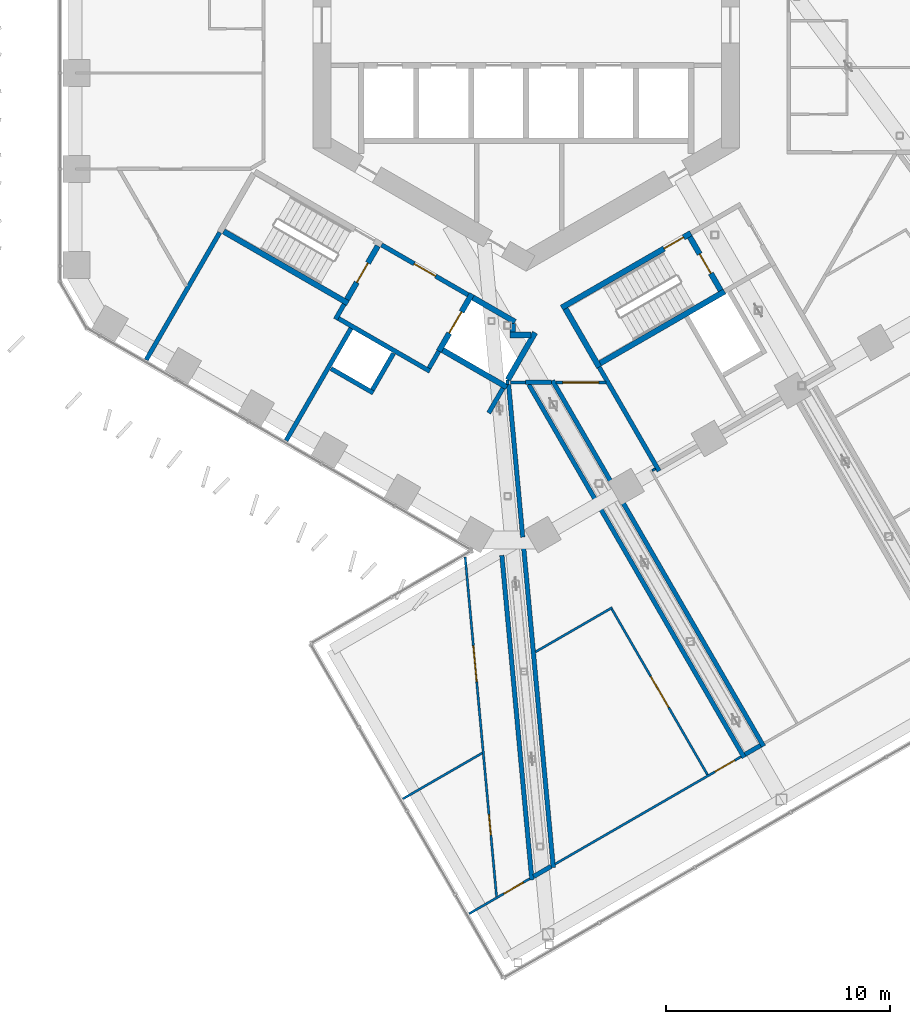
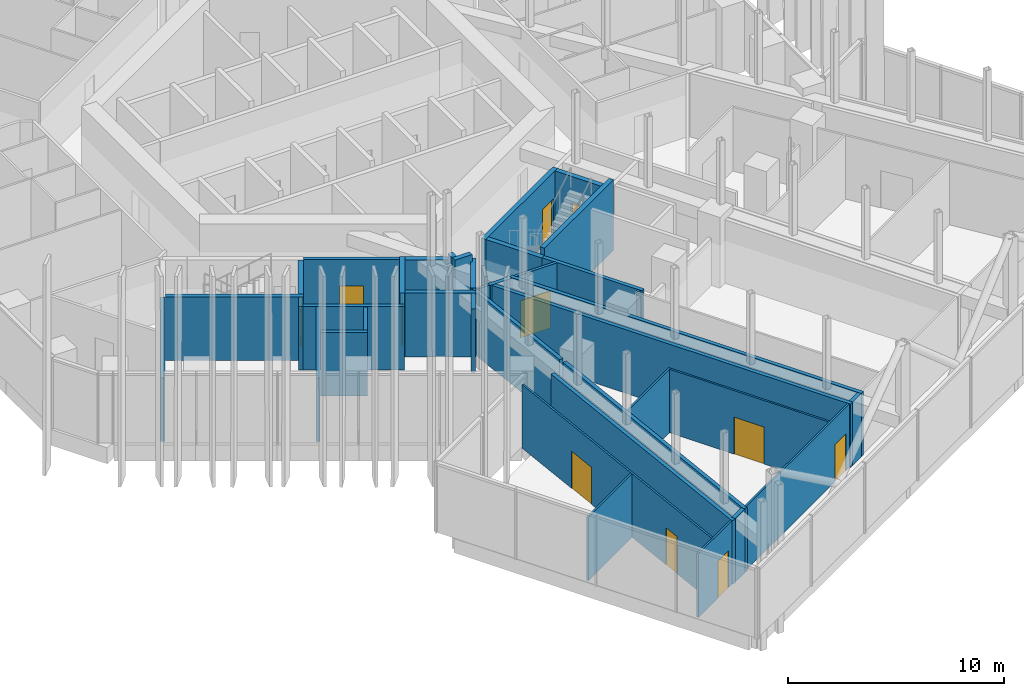
# One storey, part 19 of 29: 40 walls, 11 doors, 11 openings.
"""IFC4 building model written with IfcOpenShell, lengths in metres."""

from ifc_helpers import new_model, si_unit, direction, frame, frame_2d, origin, place, context, subcontext, project, spatial, rectangle, extrude, material, layer, layer_set, type_object, element, fill, save


model = new_model("IFC4")

# Units and contexts
model_context = context("Model", 3, precision=1e-05, world=origin(), true_north=direction((0.0, 1.0)))
body_context = subcontext(model_context, "Body", "Model", "MODEL_VIEW")
ifc_project = project(units=[si_unit("LENGTHUNIT", "METRE"), si_unit("AREAUNIT", "SQUARE_METRE"), si_unit("VOLUMEUNIT", "CUBIC_METRE"), si_unit("PLANEANGLEUNIT", "RADIAN"), si_unit("MASSUNIT", "GRAM", prefix="KILO")], contexts=[model_context])

# Site, building, storey
site_placement = place(None, origin())
site = spatial("IfcSite", under=ifc_project, at=site_placement, CompositionType="ELEMENT")
building_placement = place(site_placement, origin())
building = spatial("IfcBuilding", under=site, at=building_placement, Name="Ayvan Gate Tower", CompositionType="ELEMENT")
storey_placement = place(building_placement, frame((0.0, 0.0, 66.300048828125)))
storey = spatial("IfcBuildingStorey", under=building, at=storey_placement, Name="L17", CompositionType="ELEMENT", Elevation=66.300048828125)

# Wall
ifc_material_1 = material(Name="Plasterboard on steel stud", Category="steel")
ifc_layer_1 = layer(ifc_material_1, 0.14990234375)
ifc_layer_set_1 = layer_set([ifc_layer_1], Name="Plasterboard on steel stud")
wall_type_1 = type_object("IfcWallType", Name="WT-CORR-150", PredefinedType="PARTITIONING", material=ifc_layer_set_1)
wall_1_placement = place(storey_placement, frame((-0.02783203125, -15.9248046875, 0.0), z_axis=(0.0, 0.0, 1.0), x_axis=(-1.0, 0.0, 0.0)))
element("IfcWall", 1, at=wall_1_placement, inside=storey, type_object=wall_type_1, Name="IW-L17-069", PredefinedType="PARTITIONING", context=body_context, shape_type="SweptSolid", body=[
    extrude(rectangle(XDim=0.658935546875, YDim=0.14990234375, at=frame_2d((0.32958984375, 0.0))), origin(), (0.0, 0.0, 1.0), 3.599853515625),
])

# Wall, opening, door
wall_2_placement = place(storey_placement, frame((3.551513671875, -15.9248046875, 0.0), z_axis=(0.0, 0.0, 1.0), x_axis=(-1.0, 0.0, 0.0)))
wall_2 = element("IfcWall", 2, at=wall_2_placement, inside=storey, type_object=wall_type_1, Name="IW-L17-089", PredefinedType="PARTITIONING", context=body_context, shape_type="SweptSolid", body=[
    extrude(rectangle(XDim=2.224853515625, YDim=0.14990234375, at=frame_2d((1.1123046875, 0.0))), origin(), (0.0, 0.0, 1.0), 3.599853515625),
])
opening_1_placement = place(wall_2_placement, frame((0.3125, 0.0, 0.0)))
opening_1 = element("IfcOpeningElement", 3, at=opening_1_placement, cuts=wall_2, Name="Opening L17-D44", PredefinedType="OPENING", context=body_context, shape_type="SweptSolid", body=[
    extrude(rectangle(XDim=1.60009765625, YDim=2.10009765625, at=frame_2d((0.800048828125, 1.050048828125))), frame((0.0, 0.0849609375, 0.0), z_axis=(0.0, -1.0, 0.0), x_axis=(1.0, 0.0, 0.0)), (0.0, 0.0, 1.0), 0.169921875),
])
ifc_material_2 = material(Name="Timber door leaf", Category="wood")
door_type_1 = type_object("IfcDoorType", Name="DT-1600", OperationType="NOTDEFINED", PredefinedType="DOOR", material=ifc_material_2)
door_1_placement = place(opening_1_placement, origin())
door_1 = element("IfcDoor", 4, at=door_1_placement, inside=storey, type_object=door_type_1, Name="ID-L17-044", OperationType="SINGLE_SWING_LEFT", OverallHeight=2.10009765625, OverallWidth=1.60009765625, PredefinedType="DOOR", context=body_context, shape_type="SweptSolid", body=[
    extrude(rectangle(XDim=1.60009765625, YDim=2.10009765625, at=frame_2d((0.800048828125, 1.050048828125))), frame((0.0, 0.02490234375, 0.0), z_axis=(0.0, -1.0, 0.0), x_axis=(1.0, 0.0, 0.0)), (0.0, 0.0, 1.0), 0.050048828125),
])
fill(opening_1, door_1)

# Wall
ifc_layer_2 = layer(ifc_material_1, 0.10009765625)
ifc_layer_set_2 = layer_set([ifc_layer_2], Name="Plasterboard on steel stud")
wall_type_2 = type_object("IfcWallType", Name="WT-PART-100", PredefinedType="PARTITIONING", material=ifc_layer_set_2)
wall_3_placement = place(storey_placement, frame((-1.951171875, -32.43603515625, 0.0), z_axis=(0.0, 0.0, 1.0), x_axis=(-0.86601851515, -0.500011931275, 0.0)))
element("IfcWall", 5, at=wall_3_placement, inside=storey, type_object=wall_type_2, Name="IW-L17-052", PredefinedType="PARTITIONING", context=body_context, shape_type="SweptSolid", body=[
    extrude(rectangle(XDim=4.08837890625, YDim=0.10009765625, at=frame_2d((2.044189453125, 0.0))), origin(), (0.0, 0.0, 1.0), 3.599853515625),
])

# Wall, openings, doors
wall_4_placement = place(storey_placement, frame((-2.7138671875, -23.698974609375, 0.0), z_axis=(0.0, 0.0, 1.0), x_axis=(0.092115353484, -0.995748342531, 0.0)))
wall_4 = element("IfcWall", 6, at=wall_4_placement, inside=storey, type_object=wall_type_2, Name="IW-L17-053", PredefinedType="PARTITIONING", context=body_context, shape_type="SweptSolid", body=[
    extrude(rectangle(XDim=15.20263671875, YDim=0.10009765625, at=frame_2d((7.601318359375, 0.0))), origin(), (0.0, 0.0, 1.0), 3.599853515625),
])
opening_2_placement = place(wall_4_placement, frame((3.9755859375, 0.0, 0.0)))
opening_2 = element("IfcOpeningElement", 7, at=opening_2_placement, cuts=wall_4, Name="Opening L17-D40", PredefinedType="OPENING", context=body_context, shape_type="SweptSolid", body=[
    extrude(rectangle(XDim=1.60009765625, YDim=2.10009765625, at=frame_2d((0.800048828125, 1.050048828125))), frame((0.0, 0.06005859375, 0.0), z_axis=(0.0, -1.0, 0.0), x_axis=(1.0, 0.0, 0.0)), (0.0, 0.0, 1.0), 0.1201171875),
])
opening_3_placement = place(wall_4_placement, frame((11.54248046875, 0.0, 0.0)))
opening_3 = element("IfcOpeningElement", 8, at=opening_3_placement, cuts=wall_4, Name="Opening L17-D41", PredefinedType="OPENING", context=body_context, shape_type="SweptSolid", body=[
    extrude(rectangle(XDim=0.89990234375, YDim=2.10009765625, at=frame_2d((0.449951171875, 1.050048828125))), frame((0.0, 0.06005859375, 0.0), z_axis=(0.0, -1.0, 0.0), x_axis=(1.0, 0.0, 0.0)), (0.0, 0.0, 1.0), 0.1201171875),
])
door_2_placement = place(opening_2_placement, origin())
door_2 = element("IfcDoor", 9, at=door_2_placement, inside=storey, type_object=door_type_1, Name="ID-L17-040", OperationType="SINGLE_SWING_LEFT", OverallHeight=2.10009765625, OverallWidth=1.60009765625, PredefinedType="DOOR", context=body_context, shape_type="SweptSolid", body=[
    extrude(rectangle(XDim=1.60009765625, YDim=2.10009765625, at=frame_2d((0.800048828125, 1.050048828125))), frame((0.0, 0.02490234375, 0.0), z_axis=(0.0, -1.0, 0.0), x_axis=(1.0, 0.0, 0.0)), (0.0, 0.0, 1.0), 0.050048828125),
])
fill(opening_2, door_2)
door_type_2 = type_object("IfcDoorType", Name="DT-900", OperationType="NOTDEFINED", PredefinedType="DOOR", material=ifc_material_2)
door_3_placement = place(opening_3_placement, origin())
door_3 = element("IfcDoor", 10, at=door_3_placement, inside=storey, type_object=door_type_2, Name="ID-L17-041", OperationType="SINGLE_SWING_RIGHT", OverallHeight=2.10009765625, OverallWidth=0.89990234375, PredefinedType="DOOR", context=body_context, shape_type="SweptSolid", body=[
    extrude(rectangle(XDim=0.89990234375, YDim=2.10009765625, at=frame_2d((0.449951171875, 1.050048828125))), frame((0.0, 0.02490234375, 0.0), z_axis=(0.0, -1.0, 0.0), x_axis=(1.0, 0.0, 0.0)), (0.0, 0.0, 1.0), 0.050048828125),
])
fill(opening_3, door_3)

# Wall, opening, door
wall_5_placement = place(storey_placement, frame((-2.537841796875, -39.59619140625, 0.0), z_axis=(0.0, 0.0, 1.0), x_axis=(0.866038306826, 0.49997765061, 0.0)))
wall_5 = element("IfcWall", 11, at=wall_5_placement, inside=storey, type_object=wall_type_2, Name="IW-L17-054", PredefinedType="PARTITIONING", context=body_context, shape_type="SweptSolid", body=[
    extrude(rectangle(XDim=3.119384765625, YDim=0.10009765625, at=frame_2d((1.5595703125, 0.0))), origin(), (0.0, 0.0, 1.0), 3.599853515625),
])
opening_4_placement = place(wall_5_placement, frame((1.785888671875, 0.0, 0.0)))
opening_4 = element("IfcOpeningElement", 12, at=opening_4_placement, cuts=wall_5, Name="Opening L17-D39", PredefinedType="OPENING", context=body_context, shape_type="SweptSolid", body=[
    extrude(rectangle(XDim=1.0, YDim=2.10009765625, at=frame_2d((0.5, 1.050048828125))), frame((0.0, 0.06005859375, 0.0), z_axis=(0.0, -1.0, 0.0), x_axis=(1.0, 0.0, 0.0)), (0.0, 0.0, 1.0), 0.1201171875),
])
door_type_3 = type_object("IfcDoorType", Name="DT-1000", OperationType="NOTDEFINED", PredefinedType="DOOR", material=ifc_material_2)
door_4_placement = place(opening_4_placement, origin())
door_4 = element("IfcDoor", 13, at=door_4_placement, inside=storey, type_object=door_type_3, Name="ID-L17-039", OperationType="SINGLE_SWING_RIGHT", OverallHeight=2.10009765625, OverallWidth=1.0, PredefinedType="DOOR", context=body_context, shape_type="SweptSolid", body=[
    extrude(rectangle(XDim=1.0, YDim=2.10009765625, at=frame_2d((0.5, 1.050048828125))), frame((0.0, 0.02490234375, 0.0), z_axis=(0.0, -1.0, 0.0), x_axis=(1.0, 0.0, 0.0)), (0.0, 0.0, 1.0), 0.050048828125),
])
fill(opening_4, door_4)

wall_6_placement = place(storey_placement, frame((1.289794921875, -37.38623046875, 0.0), z_axis=(0.0, 0.0, 1.0), x_axis=(0.866025528465, 0.499999784046, 0.0)))
wall_6 = element("IfcWall", 14, at=wall_6_placement, inside=storey, type_object=wall_type_2, Name="IW-L17-077", PredefinedType="PARTITIONING", context=body_context, shape_type="SweptSolid", body=[
    extrude(rectangle(XDim=9.576171875, YDim=0.10009765625, at=frame_2d((4.7880859375, 0.0))), origin(), (0.0, 0.0, 1.0), 3.599853515625),
])
opening_5_placement = place(wall_6_placement, frame((8.2412109375, 0.0, 0.0)))
opening_5 = element("IfcOpeningElement", 15, at=opening_5_placement, cuts=wall_6, Name="Opening L17-D42", PredefinedType="OPENING", context=body_context, shape_type="SweptSolid", body=[
    extrude(rectangle(XDim=1.0, YDim=2.10009765625, at=frame_2d((0.5, 1.050048828125))), frame((0.0, 0.06005859375, 0.0), z_axis=(0.0, -1.0, 0.0), x_axis=(1.0, 0.0, 0.0)), (0.0, 0.0, 1.0), 0.1201171875),
])
door_5_placement = place(opening_5_placement, origin())
door_5 = element("IfcDoor", 16, at=door_5_placement, inside=storey, type_object=door_type_3, Name="ID-L17-042", OperationType="SINGLE_SWING_LEFT", OverallHeight=2.10009765625, OverallWidth=1.0, PredefinedType="DOOR", context=body_context, shape_type="SweptSolid", body=[
    extrude(rectangle(XDim=1.0, YDim=2.10009765625, at=frame_2d((0.5, 1.050048828125))), frame((0.0, 0.02490234375, 0.0), z_axis=(0.0, -1.0, 0.0), x_axis=(1.0, 0.0, 0.0)), (0.0, 0.0, 1.0), 0.050048828125),
])
fill(opening_5, door_5)

# Walls
wall_7_placement = place(storey_placement, frame((3.841796875, -25.9541015625, 0.0), z_axis=(0.0, 0.0, 1.0), x_axis=(-0.866028370329, -0.499994861758, 0.0)))
element("IfcWall", 17, at=wall_7_placement, inside=storey, type_object=wall_type_2, Name="IW-L17-091", PredefinedType="PARTITIONING", context=body_context, shape_type="SweptSolid", body=[
    extrude(rectangle(XDim=3.95654296875, YDim=0.10009765625, at=frame_2d((1.978271484375, 0.0))), origin(), (0.0, 0.0, 1.0), 3.599853515625),
])
wall_8_placement = place(storey_placement, frame((5.7587890625, -19.7744140625, 0.0), z_axis=(0.0, 0.0, 1.0), x_axis=(-0.865426285481, -0.501036270542, 0.0)))
element("IfcWall", 18, at=wall_8_placement, inside=storey, type_object=wall_type_2, Name="IW-L17-097", PredefinedType="PARTITIONING", context=body_context, shape_type="SweptSolid", body=[
    extrude(rectangle(XDim=0.150146484375, YDim=0.10009765625, at=frame_2d((0.0751953125, 0.0))), origin(), (0.0, 0.0, 1.0), 3.599853515625),
])

# Wall, opening, door
wall_9_placement = place(storey_placement, frame((8.085693359375, -33.405029296875, 0.0), z_axis=(0.0, 0.0, 1.0), x_axis=(-0.499989372037, 0.866031539755, 0.0)))
wall_9 = element("IfcWall", 19, at=wall_9_placement, inside=storey, type_object=wall_type_2, Name="IW-L17-109", PredefinedType="PARTITIONING", context=body_context, shape_type="SweptSolid", body=[
    extrude(rectangle(XDim=8.524658203125, YDim=0.10009765625, at=frame_2d((4.26220703125, 0.0))), origin(), (0.0, 0.0, 1.0), 3.599853515625),
])
opening_6_placement = place(wall_9_placement, frame((3.46240234375, 0.0, 0.0)))
opening_6 = element("IfcOpeningElement", 20, at=opening_6_placement, cuts=wall_9, Name="Opening L17-D43", PredefinedType="OPENING", context=body_context, shape_type="SweptSolid", body=[
    extrude(rectangle(XDim=1.60009765625, YDim=2.10009765625, at=frame_2d((0.800048828125, 1.050048828125))), frame((0.0, 0.06005859375, 0.0), z_axis=(0.0, -1.0, 0.0), x_axis=(1.0, 0.0, 0.0)), (0.0, 0.0, 1.0), 0.1201171875),
])
door_6_placement = place(opening_6_placement, origin())
door_6 = element("IfcDoor", 21, at=door_6_placement, inside=storey, type_object=door_type_1, Name="ID-L17-043", OperationType="SINGLE_SWING_RIGHT", OverallHeight=2.10009765625, OverallWidth=1.60009765625, PredefinedType="DOOR", context=body_context, shape_type="SweptSolid", body=[
    extrude(rectangle(XDim=1.60009765625, YDim=2.10009765625, at=frame_2d((0.800048828125, 1.050048828125))), frame((0.0, 0.02490234375, 0.0), z_axis=(0.0, -1.0, 0.0), x_axis=(1.0, 0.0, 0.0)), (0.0, 0.0, 1.0), 0.050048828125),
])
fill(opening_6, door_6)

# Walls
ifc_layer_3 = layer(ifc_material_1, 0.199951171875)
ifc_layer_set_3 = layer_set([ifc_layer_3], Name="Plasterboard on steel stud")
wall_type_3 = type_object("IfcWallType", Name="WT-PLUMB-200", PredefinedType="PLUMBINGWALL", material=ifc_layer_set_3)
wall_10_placement = place(storey_placement, frame((-16.92578125, -14.916259765625, 0.0), z_axis=(0.0, 0.0, 1.0), x_axis=(0.499992165211, 0.866029927155, 0.0)))
element("IfcWall", 22, at=wall_10_placement, inside=storey, type_object=wall_type_3, Name="IW-L17-004", PredefinedType="PLUMBINGWALL", context=body_context, shape_type="SweptSolid", body=[
    extrude(rectangle(XDim=6.5556640625, YDim=0.199951171875, at=frame_2d((3.27783203125, 0.0))), origin(), (0.0, 0.0, 1.0), 3.599853515625),
])
wall_11_placement = place(storey_placement, frame((-8.492919921875, -13.110107421875, 0.0), z_axis=(0.0, 0.0, 1.0), x_axis=(0.500067724834, 0.865986299303, 0.0)))
element("IfcWall", 23, at=wall_11_placement, inside=storey, type_object=wall_type_3, Name="IW-L17-023", PredefinedType="PLUMBINGWALL", context=body_context, shape_type="SweptSolid", body=[
    extrude(rectangle(XDim=0.775390625, YDim=0.199951171875, at=frame_2d((0.3876953125, 0.0))), origin(), (0.0, 0.0, 1.0), 3.599853515625),
])
wall_12_placement = place(storey_placement, frame((-7.800048828125, -13.510009765625, 0.0), z_axis=(0.0, 0.0, 1.0), x_axis=(-0.499982030767, -0.866035778077, 0.0)))
element("IfcWall", 24, at=wall_12_placement, inside=storey, type_object=wall_type_3, Name="IW-L17-025", PredefinedType="PLUMBINGWALL", context=body_context, shape_type="SweptSolid", body=[
    extrude(rectangle(XDim=5.780517578125, YDim=0.199951171875, at=frame_2d((2.89013671875, 0.0))), origin(), (0.0, 0.0, 1.0), 3.599853515625),
])
wall_13_placement = place(storey_placement, frame((-8.356201171875, -13.073486328125, 0.0), z_axis=(0.0, 0.0, 1.0), x_axis=(0.866038532462, -0.499977259774, 0.0)))
element("IfcWall", 25, at=wall_13_placement, inside=storey, type_object=wall_type_3, Name="IW-L17-026", PredefinedType="PLUMBINGWALL", context=body_context, shape_type="SweptSolid", body=[
    extrude(rectangle(XDim=4.699951171875, YDim=0.199951171875, at=frame_2d((2.35009765625, 0.0))), origin(), (0.0, 0.0, 1.0), 3.599853515625),
])
wall_14_placement = place(storey_placement, frame((-3.885009765625, -14.52880859375, 0.0), z_axis=(0.0, 0.0, 1.0), x_axis=(-0.499859285417, -0.866106630146, 0.0)))
element("IfcWall", 26, at=wall_14_placement, inside=storey, type_object=wall_type_3, Name="IW-L17-042", PredefinedType="PLUMBINGWALL", context=body_context, shape_type="SweptSolid", body=[
    extrude(rectangle(XDim=0.875244140625, YDim=0.199951171875, at=frame_2d((0.4375, 0.0))), origin(), (0.0, 0.0, 1.0), 3.599853515625),
])
wall_15_placement = place(storey_placement, frame((-1.027099609375, -16.178955078125, 0.0), z_axis=(0.0, 0.0, 1.0), x_axis=(-0.500048109927, -0.865997625723, 0.0)))
element("IfcWall", 27, at=wall_15_placement, inside=storey, type_object=wall_type_3, Name="IW-L17-057", PredefinedType="PLUMBINGWALL", context=body_context, shape_type="SweptSolid", body=[
    extrude(rectangle(XDim=1.276123046875, YDim=0.199951171875, at=frame_2d((0.63818359375, 0.0))), origin(), (0.0, 0.0, 1.0), 3.599853515625),
])
wall_16_placement = place(storey_placement, frame((-0.7783203125, -16.014404296875, 0.0), z_axis=(0.0, 0.0, 1.0), x_axis=(0.092107680548, -0.995749052314, 0.0)))
element("IfcWall", 28, at=wall_16_placement, inside=storey, type_object=wall_type_3, Name="IW-L17-060", PredefinedType="PLUMBINGWALL", context=body_context, shape_type="SweptSolid", body=[
    extrude(rectangle(XDim=6.833251953125, YDim=0.199951171875, at=frame_2d((3.41650390625, 0.0))), origin(), (0.0, 0.0, 1.0), 3.599853515625),
])
wall_17_placement = place(storey_placement, frame((-0.886474609375, -15.9248046875, 0.0), z_axis=(0.0, 0.0, 1.0), x_axis=(1.0, 0.0, 0.0)))
element("IfcWall", 29, at=wall_17_placement, inside=storey, type_object=wall_type_3, Name="IW-L17-061", PredefinedType="PLUMBINGWALL", context=body_context, shape_type="SweptSolid", body=[
    extrude(rectangle(XDim=0.131103515625, YDim=0.199951171875, at=frame_2d((0.0654296875, 0.0))), origin(), (0.0, 0.0, 1.0), 3.599853515625),
])
for number, where, z_axis, x_axis, name in (
    (30, (-0.125, -23.07666015625, 0.0), (0.0, 0.0, 1.0), (0.092118255765, -0.99574807404, 0.0), "IW-L17-066"),
    (31, (0.25927734375, -38.086181640625, 0.0), (0.0, 0.0, 1.0), (-0.092118255765, 0.99574807404, 0.0), "IW-L17-070"),
):
    element("IfcWall", number, at=place(storey_placement, frame(where, z_axis=z_axis, x_axis=x_axis)), inside=storey, type_object=wall_type_3, Name=name, PredefinedType="PLUMBINGWALL", context=body_context, shape_type="SweptSolid", body=[
        extrude(rectangle(XDim=14.52099609375, YDim=0.199951171875, at=frame_2d((7.260498046875, 0.0))), origin(), (0.0, 0.0, 1.0), 3.599853515625),
    ])
wall_18_placement = place(storey_placement, frame((1.11669921875, -37.486083984375, 0.0), z_axis=(0.0, 0.0, 1.0), x_axis=(-0.865865073245, -0.500277597875, 0.0)))
element("IfcWall", 32, at=wall_18_placement, inside=storey, type_object=wall_type_3, Name="IW-L17-078", PredefinedType="PLUMBINGWALL", context=body_context, shape_type="SweptSolid", body=[
    extrude(rectangle(XDim=0.90087890625, YDim=0.199951171875, at=frame_2d((0.450439453125, 0.0))), origin(), (0.0, 0.0, 1.0), 3.599853515625),
])
wall_19_placement = place(storey_placement, frame((1.1767578125, -15.838134765625, 0.0), z_axis=(0.0, 0.0, 1.0), x_axis=(0.499997225204, -0.866027005808, 0.0)))
element("IfcWall", 33, at=wall_19_placement, inside=storey, type_object=wall_type_3, Name="IW-L17-079", PredefinedType="PLUMBINGWALL", context=body_context, shape_type="SweptSolid", body=[
    extrude(rectangle(XDim=18.81787109375, YDim=0.199951171875, at=frame_2d((9.408935546875, 0.0))), origin(), (0.0, 0.0, 1.0), 3.599853515625),
])
wall_20_placement = place(storey_placement, frame((1.126708984375, -15.9248046875, 0.0), z_axis=(0.0, 0.0, 1.0), x_axis=(-1.0, 0.0, 0.0)))
element("IfcWall", 34, at=wall_20_placement, inside=storey, type_object=wall_type_3, Name="IW-L17-080", PredefinedType="PLUMBINGWALL", context=body_context, shape_type="SweptSolid", body=[
    extrude(rectangle(XDim=1.15478515625, YDim=0.199951171875, at=frame_2d((0.577392578125, 0.0))), origin(), (0.0, 0.0, 1.0), 3.599853515625),
])
wall_21_placement = place(storey_placement, frame((3.255615234375, -15.23876953125, 0.0), z_axis=(0.0, 0.0, 1.0), x_axis=(0.499974070055, -0.866040373927, 0.0)))
element("IfcWall", 35, at=wall_21_placement, inside=storey, type_object=wall_type_3, Name="IW-L17-090", PredefinedType="PLUMBINGWALL", context=body_context, shape_type="SweptSolid", body=[
    extrude(rectangle(XDim=5.347412109375, YDim=0.199951171875, at=frame_2d((2.673828125, 0.0))), origin(), (0.0, 0.0, 1.0), 3.599853515625),
])
wall_22_placement = place(storey_placement, frame((9.719482421875, -32.635009765625, 0.0), z_axis=(0.0, 0.0, 1.0), x_axis=(-0.499987053718, 0.866032878195, 0.0)))
element("IfcWall", 36, at=wall_22_placement, inside=storey, type_object=wall_type_3, Name="IW-L17-113", PredefinedType="PLUMBINGWALL", context=body_context, shape_type="SweptSolid", body=[
    extrude(rectangle(XDim=19.1953125, YDim=0.199951171875, at=frame_2d((9.59765625, 0.0))), origin(), (0.0, 0.0, 1.0), 3.599853515625),
])
wall_23_placement = place(storey_placement, frame((10.448974609375, -32.098388671875, 0.0), z_axis=(0.0, 0.0, 1.0), x_axis=(-0.866094119867, -0.499880961361, 0.0)))
element("IfcWall", 37, at=wall_23_placement, inside=storey, type_object=wall_type_3, Name="IW-L17-116", PredefinedType="PLUMBINGWALL", context=body_context, shape_type="SweptSolid", body=[
    extrude(rectangle(XDim=0.800048828125, YDim=0.199951171875, at=frame_2d((0.39990234375, 0.0))), origin(), (0.0, 0.0, 1.0), 3.599853515625),
])
wall_24_placement = place(storey_placement, frame((-6.80810546875, -16.39208984375, 0.0), z_axis=(0.0, 0.0, 1.0), x_axis=(-0.866008413041, 0.500029427677, 0.0)))
element("IfcWall", 38, at=wall_24_placement, inside=storey, type_object=wall_type_3, Name="IW-L17-160", PredefinedType="PLUMBINGWALL", context=body_context, shape_type="SweptSolid", body=[
    extrude(rectangle(XDim=2.179931640625, YDim=0.199951171875, at=frame_2d((1.08984375, 0.0))), origin(), (0.0, 0.0, 1.0), 3.599853515625),
])
wall_25_placement = place(storey_placement, frame((-5.90478515625, -14.627197265625, 0.0), z_axis=(0.0, 0.0, 1.0), x_axis=(-0.499966013754, -0.866045024864, 0.0)))
element("IfcWall", 39, at=wall_25_placement, inside=storey, type_object=wall_type_3, Name="IW-L17-161", PredefinedType="PLUMBINGWALL", context=body_context, shape_type="SweptSolid", body=[
    extrude(rectangle(XDim=1.880126953125, YDim=0.199951171875, at=frame_2d((0.93994140625, 0.0))), origin(), (0.0, 0.0, 1.0), 3.599853515625),
])

# Wall, opening, door
ifc_layer_4 = layer(ifc_material_1, 0.199951171875)
ifc_layer_set_4 = layer_set([ifc_layer_4], Name="Plasterboard on steel stud")
wall_type_4 = type_object("IfcWallType", Name="WT-RATED-200", PredefinedType="PARTITIONING", material=ifc_layer_set_4)
wall_26_placement = place(storey_placement, frame((-6.4345703125, -9.794921875, 0.0), z_axis=(0.0, 0.0, 1.0), x_axis=(0.866012907634, -0.500021643343, 0.0)))
wall_26 = element("IfcWall", 40, at=wall_26_placement, inside=storey, type_object=wall_type_4, Name="IW-L17-035", PredefinedType="PARTITIONING", context=body_context, shape_type="SweptSolid", body=[
    extrude(rectangle(XDim=4.449951171875, YDim=0.199951171875, at=frame_2d((2.22509765625, 0.0))), origin(), (0.0, 0.0, 1.0), 3.599853515625),
])
opening_7_placement = place(wall_26_placement, frame((1.675048828125, 0.0, 0.0)))
opening_7 = element("IfcOpeningElement", 41, at=opening_7_placement, cuts=wall_26, Name="Opening L17-D12", PredefinedType="OPENING", context=body_context, shape_type="SweptSolid", body=[
    extrude(rectangle(XDim=1.10009765625, YDim=2.10009765625, at=frame_2d((0.550048828125, 1.050048828125))), frame((0.0, 0.10986328125, 0.0), z_axis=(0.0, -1.0, 0.0), x_axis=(1.0, 0.0, 0.0)), (0.0, 0.0, 1.0), 0.219970703125),
])
door_type_4 = type_object("IfcDoorType", Name="DT-1100", OperationType="NOTDEFINED", PredefinedType="DOOR", material=ifc_material_2)
door_7_placement = place(opening_7_placement, origin())
door_7 = element("IfcDoor", 42, at=door_7_placement, inside=storey, type_object=door_type_4, Name="ID-L17-012", OperationType="SINGLE_SWING_LEFT", OverallHeight=2.10009765625, OverallWidth=1.10009765625, PredefinedType="DOOR", context=body_context, shape_type="SweptSolid", body=[
    extrude(rectangle(XDim=1.10009765625, YDim=2.10009765625, at=frame_2d((0.550048828125, 1.050048828125))), frame((0.0, 0.02490234375, 0.0), z_axis=(0.0, -1.0, 0.0), x_axis=(1.0, 0.0, 0.0)), (0.0, 0.0, 1.0), 0.050048828125),
])
fill(opening_7, door_7)

# Wall
ifc_material_3 = material(Name="Concrete C50/60", Category="concrete")
ifc_layer_5 = layer(ifc_material_3, 0.25)
ifc_layer_set_5 = layer_set([ifc_layer_5], Name="Concrete C50/60")
wall_type_5 = type_object("IfcWallType", Name="WT-RC-250", PredefinedType="SHEAR", material=ifc_layer_set_5)
wall_27_placement = place(storey_placement, frame((-7.9345703125, -12.39306640625, 0.0), z_axis=(0.0, 0.0, 1.0), x_axis=(-0.866025499775, 0.499999833739, 0.0)))
element("IfcWall", 43, at=wall_27_placement, inside=storey, type_object=wall_type_5, Name="IW-L17-024", PredefinedType="SHEAR", context=body_context, shape_type="SweptSolid", body=[
    extrude(rectangle(XDim=6.39990234375, YDim=0.25, at=frame_2d((3.199951171875, 0.0))), origin(), (0.0, 0.0, 1.0), 3.599853515625),
])

# Wall, opening, door
wall_28_placement = place(storey_placement, frame((-6.605224609375, -9.8408203125, 0.0), z_axis=(0.0, 0.0, 1.0), x_axis=(-0.499996545922, -0.866027397988, 0.0)))
wall_28 = element("IfcWall", 44, at=wall_28_placement, inside=storey, type_object=wall_type_5, Name="IW-L17-034", PredefinedType="SHEAR", context=body_context, shape_type="SweptSolid", body=[
    extrude(rectangle(XDim=2.75, YDim=0.25, at=frame_2d((1.375, 0.0))), origin(), (0.0, 0.0, 1.0), 3.599853515625),
])
opening_8_placement = place(wall_28_placement, frame((0.875, 0.0, 0.0)))
opening_8 = element("IfcOpeningElement", 45, at=opening_8_placement, cuts=wall_28, Name="Opening L17-D11", PredefinedType="OPENING", context=body_context, shape_type="SweptSolid", body=[
    extrude(rectangle(XDim=1.0, YDim=2.10009765625, at=frame_2d((0.5, 1.050048828125))), frame((0.0, 0.135009765625, 0.0), z_axis=(0.0, -1.0, 0.0), x_axis=(1.0, 0.0, 0.0)), (0.0, 0.0, 1.0), 0.27001953125),
])
door_8_placement = place(opening_8_placement, origin())
door_8 = element("IfcDoor", 46, at=door_8_placement, inside=storey, type_object=door_type_3, Name="ID-L17-011", OperationType="SINGLE_SWING_RIGHT", OverallHeight=2.10009765625, OverallWidth=1.0, PredefinedType="DOOR", context=body_context, shape_type="SweptSolid", body=[
    extrude(rectangle(XDim=1.0, YDim=2.10009765625, at=frame_2d((0.5, 1.050048828125))), frame((0.0, 0.02490234375, 0.0), z_axis=(0.0, -1.0, 0.0), x_axis=(1.0, 0.0, 0.0)), (0.0, 0.0, 1.0), 0.050048828125),
])
fill(opening_8, door_8)

wall_29_placement = place(storey_placement, frame((-2.409912109375, -11.97412109375, 0.0), z_axis=(0.0, 0.0, 1.0), x_axis=(-0.500001826776, -0.866024349092, 0.0)))
wall_29 = element("IfcWall", 47, at=wall_29_placement, inside=storey, type_object=wall_type_5, Name="IW-L17-046", PredefinedType="SHEAR", context=body_context, shape_type="SweptSolid", body=[
    extrude(rectangle(XDim=2.9501953125, YDim=0.25, at=frame_2d((1.47509765625, 0.0))), origin(), (0.0, 0.0, 1.0), 3.599853515625),
])
opening_9_placement = place(wall_29_placement, frame((0.925048828125, 0.0, 0.0)))
opening_9 = element("IfcOpeningElement", 48, at=opening_9_placement, cuts=wall_29, Name="Opening L17-LD-FF2", PredefinedType="OPENING", context=body_context, shape_type="SweptSolid", body=[
    extrude(rectangle(XDim=1.10009765625, YDim=2.10009765625, at=frame_2d((0.550048828125, 1.050048828125))), frame((0.0, 0.135009765625, 0.0), z_axis=(0.0, -1.0, 0.0), x_axis=(1.0, 0.0, 0.0)), (0.0, 0.0, 1.0), 0.27001953125),
])
ifc_material_4 = material(Name="Stainless steel landing door", Category="steel")
door_type_5 = type_object("IfcDoorType", Name="DT-LANDING-1100", OperationType="SLIDING_TO_LEFT", PredefinedType="DOOR", material=ifc_material_4)
door_9_placement = place(opening_9_placement, origin())
door_9 = element("IfcDoor", 49, at=door_9_placement, inside=storey, type_object=door_type_5, Name="ID-L17-013", OperationType="SLIDING_TO_LEFT", OverallHeight=2.10009765625, OverallWidth=1.10009765625, PredefinedType="DOOR", context=body_context, shape_type="SweptSolid", body=[
    extrude(rectangle(XDim=1.10009765625, YDim=2.10009765625, at=frame_2d((0.550048828125, 1.050048828125))), frame((0.0, 0.02490234375, 0.0), z_axis=(0.0, -1.0, 0.0), x_axis=(1.0, 0.0, 0.0)), (0.0, 0.0, 1.0), 0.050048828125),
])
fill(opening_9, door_9)

# Walls
wall_30_placement = place(storey_placement, frame((-2.3642578125, -12.14501953125, 0.0), z_axis=(0.0, 0.0, 1.0), x_axis=(0.86603892542, -0.499976579108, 0.0)))
element("IfcWall", 50, at=wall_30_placement, inside=storey, type_object=wall_type_5, Name="IW-L17-047", PredefinedType="SHEAR", context=body_context, shape_type="SweptSolid", body=[
    extrude(rectangle(XDim=2.162109375, YDim=0.25, at=frame_2d((1.0810546875, 0.0))), origin(), (0.0, 0.0, 1.0), 3.599853515625),
])
wall_31_placement = place(storey_placement, frame((-0.8564453125, -16.13330078125, 0.0), z_axis=(0.0, 0.0, 1.0), x_axis=(-0.866021716278, 0.500006386895, 0.0)))
element("IfcWall", 51, at=wall_31_placement, inside=storey, type_object=wall_type_5, Name="IW-L17-058", PredefinedType="SHEAR", context=body_context, shape_type="SweptSolid", body=[
    extrude(rectangle(XDim=3.2998046875, YDim=0.25, at=frame_2d((1.64990234375, 0.0))), origin(), (0.0, 0.0, 1.0), 3.599853515625),
])
wall_32_placement = place(storey_placement, frame((-0.81201171875, -15.806640625, 0.0), z_axis=(0.0, 0.0, 1.0), x_axis=(0.499931139538, 0.866065156741, 0.0)))
element("IfcWall", 52, at=wall_32_placement, inside=storey, type_object=wall_type_5, Name="IW-L17-059", PredefinedType="SHEAR", context=body_context, shape_type="SweptSolid", body=[
    extrude(rectangle(XDim=2.430419921875, YDim=0.25, at=frame_2d((1.21533203125, 0.0))), origin(), (0.0, 0.0, 1.0), 3.599853515625),
])
wall_33_placement = place(storey_placement, frame((-0.72509765625, -13.81005859375, 0.0), z_axis=(0.0, 0.0, 1.0), x_axis=(1.0, 0.0, 0.0)))
element("IfcWall", 53, at=wall_33_placement, inside=storey, type_object=wall_type_5, Name="IW-L17-062", PredefinedType="SHEAR", context=body_context, shape_type="SweptSolid", body=[
    extrude(rectangle(XDim=0.940673828125, YDim=0.25, at=frame_2d((0.47021484375, 0.0))), origin(), (0.0, 0.0, 1.0), 4.0),
])
wall_34_placement = place(storey_placement, frame((-0.60009765625, -13.28857421875, 0.0), z_axis=(0.0, 0.0, 1.0), x_axis=(0.0, -1.0, 0.0)))
element("IfcWall", 54, at=wall_34_placement, inside=storey, type_object=wall_type_5, Name="IW-L17-063", PredefinedType="SHEAR", context=body_context, shape_type="SweptSolid", body=[
    extrude(rectangle(XDim=0.396484375, YDim=0.25, at=frame_2d((0.1982421875, 0.0))), origin(), (0.0, 0.0, 1.0), 4.0),
])

# Wall, opening, door
wall_35_placement = place(storey_placement, frame((1.584716796875, -12.594970703125, 0.0), z_axis=(0.0, 0.0, 1.0), x_axis=(0.866036417653, 0.499980922934, 0.0)))
wall_35 = element("IfcWall", 55, at=wall_35_placement, inside=storey, type_object=wall_type_5, Name="IW-L17-082", PredefinedType="SHEAR", context=body_context, shape_type="SweptSolid", body=[
    extrude(rectangle(XDim=6.650146484375, YDim=0.25, at=frame_2d((3.3251953125, 0.0))), origin(), (0.0, 0.0, 1.0), 3.599853515625),
])
opening_10_placement = place(wall_35_placement, frame((5.27490234375, 0.0, 0.0)))
opening_10 = element("IfcOpeningElement", 56, at=opening_10_placement, cuts=wall_35, Name="Opening L17-D14", PredefinedType="OPENING", context=body_context, shape_type="SweptSolid", body=[
    extrude(rectangle(XDim=1.0, YDim=2.10009765625, at=frame_2d((0.5, 1.050048828125))), frame((0.0, 0.135009765625, 0.0), z_axis=(0.0, -1.0, 0.0), x_axis=(1.0, 0.0, 0.0)), (0.0, 0.0, 1.0), 0.27001953125),
])
door_10_placement = place(opening_10_placement, origin())
door_10 = element("IfcDoor", 57, at=door_10_placement, inside=storey, type_object=door_type_3, Name="ID-L17-014", OperationType="SINGLE_SWING_LEFT", OverallHeight=2.10009765625, OverallWidth=1.0, PredefinedType="DOOR", context=body_context, shape_type="SweptSolid", body=[
    extrude(rectangle(XDim=1.0, YDim=2.10009765625, at=frame_2d((0.5, 1.050048828125))), frame((0.0, 0.02490234375, 0.0), z_axis=(0.0, -1.0, 0.0), x_axis=(1.0, 0.0, 0.0)), (0.0, 0.0, 1.0), 0.050048828125),
])
fill(opening_10, door_10)

# Walls
wall_36_placement = place(storey_placement, frame((3.255615234375, -15.23876953125, 0.0), z_axis=(0.0, 0.0, 1.0), x_axis=(-0.50002537861, 0.866010750942, 0.0)))
element("IfcWall", 58, at=wall_36_placement, inside=storey, type_object=wall_type_5, Name="IW-L17-087", PredefinedType="SHEAR", context=body_context, shape_type="SweptSolid", body=[
    extrude(rectangle(XDim=2.999755859375, YDim=0.25, at=frame_2d((1.5, 0.0))), origin(), (0.0, 0.0, 1.0), 3.599853515625),
])
wall_37_placement = place(storey_placement, frame((3.30126953125, -15.068115234375, 0.0), z_axis=(0.0, 0.0, 1.0), x_axis=(0.866035036182, 0.499983315828, 0.0)))
element("IfcWall", 59, at=wall_37_placement, inside=storey, type_object=wall_type_5, Name="IW-L17-101", PredefinedType="SHEAR", context=body_context, shape_type="SweptSolid", body=[
    extrude(rectangle(XDim=6.400146484375, YDim=0.25, at=frame_2d((3.2001953125, 0.0))), origin(), (0.0, 0.0, 1.0), 4.0),
])

# Wall, opening, door
wall_38_placement = place(storey_placement, frame((7.298095703125, -9.44091796875, 0.0), z_axis=(0.0, 0.0, 1.0), x_axis=(0.500034990121, -0.866005201286, 0.0)))
wall_38 = element("IfcWall", 60, at=wall_38_placement, inside=storey, type_object=wall_type_5, Name="IW-L17-102", PredefinedType="SHEAR", context=body_context, shape_type="SweptSolid", body=[
    extrude(rectangle(XDim=2.749755859375, YDim=0.25, at=frame_2d((1.375, 0.0))), origin(), (0.0, 0.0, 1.0), 3.599853515625),
])
opening_11_placement = place(wall_38_placement, frame((0.875, 0.0, 0.0)))
opening_11 = element("IfcOpeningElement", 61, at=opening_11_placement, cuts=wall_38, Name="Opening L17-D16", PredefinedType="OPENING", context=body_context, shape_type="SweptSolid", body=[
    extrude(rectangle(XDim=1.0, YDim=2.10009765625, at=frame_2d((0.5, 1.050048828125))), frame((0.0, 0.135009765625, 0.0), z_axis=(0.0, -1.0, 0.0), x_axis=(1.0, 0.0, 0.0)), (0.0, 0.0, 1.0), 0.27001953125),
])
door_11_placement = place(opening_11_placement, origin())
door_11 = element("IfcDoor", 62, at=door_11_placement, inside=storey, type_object=door_type_3, Name="ID-L17-016", OperationType="SINGLE_SWING_LEFT", OverallHeight=2.10009765625, OverallWidth=1.0, PredefinedType="DOOR", context=body_context, shape_type="SweptSolid", body=[
    extrude(rectangle(XDim=1.0, YDim=2.10009765625, at=frame_2d((0.5, 1.050048828125))), frame((0.0, 0.02490234375, 0.0), z_axis=(0.0, -1.0, 0.0), x_axis=(1.0, 0.0, 0.0)), (0.0, 0.0, 1.0), 0.050048828125),
])
fill(opening_11, door_11)

save(model, "model.ifc")
